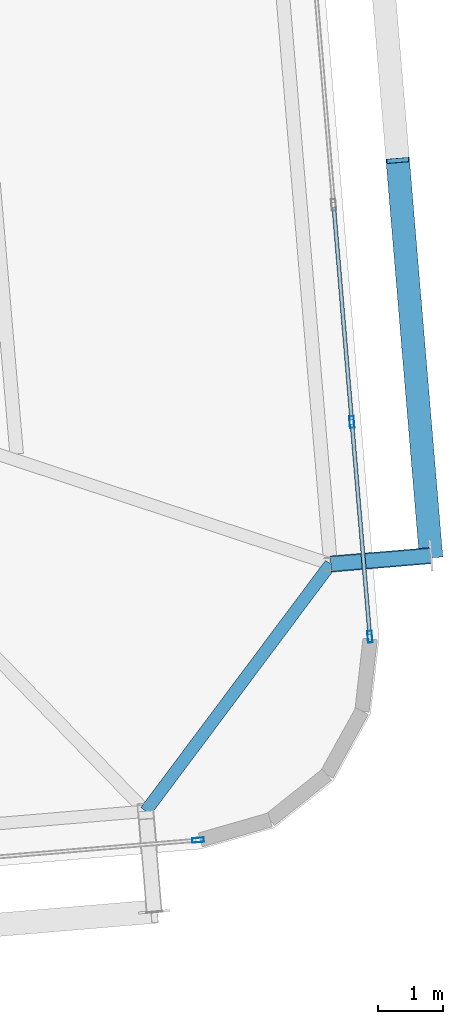
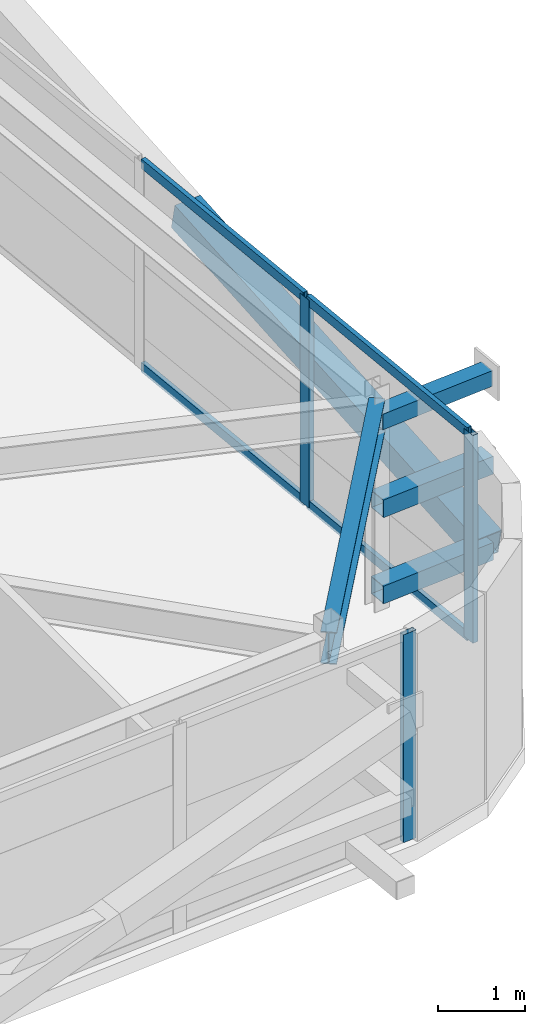
# One storey, part 22 of 44: 11 members, 1 beam, 2 elements without a shape of their own.
"""IFC4 building model written with IfcOpenShell, lengths in metres."""

from ifc_helpers import new_model, si_unit, direction, frame, origin, origin_2d, place, context, subcontext, project, spatial, hollow_rectangle, i_section, extrude, source, transform, mapped, material, layer, layer_set, material_profile, profile_set, type_object, element, aggregate, save


model = new_model("IFC4")

# Units and contexts
model_context = context("Model", 3, precision=1e-05, world=origin(), true_north=direction((0.0, 1.0)))
body_context = subcontext(model_context, "Body", "Model", "MODEL_VIEW")
ifc_project = project(units=[si_unit("LENGTHUNIT", "METRE"), si_unit("AREAUNIT", "SQUARE_METRE"), si_unit("VOLUMEUNIT", "CUBIC_METRE"), si_unit("PLANEANGLEUNIT", "RADIAN"), si_unit("MASSUNIT", "GRAM", prefix="KILO")], contexts=[model_context])

# Site, building, storey
site_placement = place(None, origin())
site = spatial("IfcSite", under=ifc_project, at=site_placement, CompositionType="ELEMENT")
building_placement = place(site_placement, origin())
building = spatial("IfcBuilding", under=site, at=building_placement, Name="Taldren Reach Tower", CompositionType="ELEMENT")
storey_placement = place(building_placement, frame((0.0, 0.0, 191.449951171875)))
storey = spatial("IfcBuildingStorey", under=building, at=storey_placement, Name="L58", CompositionType="ELEMENT", Elevation=191.449951171875)

# Beam
ifc_material_1 = material(Name="Steel Gr 350 (350PLUS)", Category="steel")
ifc_material_profile_1 = material_profile(ifc_material_1, i_section(OverallWidth=0.18994140625, OverallDepth=0.4541015625, WebThickness=0.008544921875, FlangeThickness=0.0126953125, at=origin_2d()), Name="460UB67.1")
ifc_profile_set_1 = profile_set([ifc_material_profile_1], Name="Steel Gr 350 (350PLUS)")
beam_type = type_object("IfcBeamType", Name="SP-UB460B", PredefinedType="SPANDREL", material=ifc_profile_set_1)
shared_shape_1 = source(origin(), body_context, "Body", "SweptSolid", [
    extrude(i_section(OverallWidth=0.18994140625, OverallDepth=0.4541015625, WebThickness=0.008544921875, FlangeThickness=0.0126953125, at=origin_2d()), origin(), (0.0, 0.0, 1.0), 4.746337890625),
])
beam_placement = place(storey_placement, frame((58.796142578125, 5.516357421875, 2.703125), z_axis=(0.598797715541, 0.800900303323, 0.0), x_axis=(-0.800900303323, 0.598797715541, 0.0)))
element("IfcBeam", 1, at=beam_placement, inside=storey, type_object=beam_type, Name="Perimeter spandrel B4 S6-E1 L58", PredefinedType="SPANDREL", context=body_context, shape_type="MappedRepresentation", body=[
    mapped(shared_shape_1, transform((0.0, 0.0, 0.0), scale=1.0)),
])

# Members
ifc_material_2 = material(Name="Steel Gr 450 (C450L0)", Category="steel")
ifc_material_profile_2 = material_profile(ifc_material_2, hollow_rectangle(XDim=0.219970703125, YDim=0.219970703125, WallThickness=0.00830078125, at=origin_2d()), Name="220x220x8.2SHS")
ifc_profile_set_2 = profile_set([ifc_material_profile_2], Name="Steel Gr 450 (C450L0)")
member_type_1 = type_object("IfcMemberType", Name="MB-TIE219", PredefinedType="STRUT", material=ifc_profile_set_2)
shared_shape_2 = source(origin(), body_context, "Body", "SweptSolid", [
    extrude(hollow_rectangle(XDim=0.219970703125, YDim=0.219970703125, WallThickness=0.00830078125, at=origin_2d()), origin(), (0.0, 0.0, 1.0), 1.545166015625),
])
member_1_placement = place(storey_placement, frame((61.642822265625, 9.31787109375, 2.650146484375), z_axis=(0.996487766615, 0.083738467783, 0.0), x_axis=(-0.083738467783, 0.996487766615, 0.0)))
element("IfcMember", 2, at=member_1_placement, inside=storey, type_object=member_type_1, Name="Exoskeleton diaphragm tie strut B4-E1 L58", PredefinedType="STRUT", context=body_context, shape_type="MappedRepresentation", body=[
    mapped(shared_shape_2, transform((0.0, 0.0, 0.0), scale=1.0)),
])
ifc_material_3 = material(Name="Steel Gr 350 (C350L0)", Category="steel")
ifc_material_profile_3 = material_profile(ifc_material_3, hollow_rectangle(XDim=0.25, YDim=0.25, WallThickness=0.010009765625, at=origin_2d()), Name="250x250x10.0SHS")
ifc_profile_set_3 = profile_set([ifc_material_profile_3], Name="Steel Gr 350 (C350L0)")
member_type_2 = type_object("IfcMemberType", Name="MB-POST250", PredefinedType="POST", material=ifc_profile_set_3)
shared_shape_3 = source(origin(), body_context, "Body", "SweptSolid", [
    extrude(hollow_rectangle(XDim=0.25, YDim=0.25, WallThickness=0.010009765625, at=origin_2d()), origin(), (0.0, 0.0, 1.0), 1.545166015625),
])
for number, where, z_axis, x_axis, name in (
    (3, (61.642822265625, 9.31787109375, 0.219970703125), (0.996487766615, 0.083738467783, 0.0), (-0.083738467783, 0.996487766615, 0.0), "Exoskeleton base diaphragm tie strut B4-E1 L58"),
    (4, (61.642822265625, 9.31787109375, 1.43505859375), (0.996487766615, 0.083738467783, 0.0), (-0.083738467783, 0.996487766615, 0.0), "Exoskeleton mid-tier diaphragm tie B4-E1 L58"),
):
    element("IfcMember", number, at=place(storey_placement, frame(where, z_axis=z_axis, x_axis=x_axis)), inside=storey, type_object=member_type_2, Name=name, PredefinedType="POST", context=body_context, shape_type="MappedRepresentation", body=[
        mapped(shared_shape_3, transform((0.0, 0.0, 0.0), scale=1.0)),
    ])
ifc_material_profile_4 = material_profile(ifc_material_2, hollow_rectangle(XDim=0.360107421875, YDim=0.360107421875, WallThickness=0.0126953125, at=origin_2d()), Name="360x360x12.7SHS")
ifc_profile_set_4 = profile_set([ifc_material_profile_4], Name="Steel Gr 450 (C450L0)")
member_type_3 = type_object("IfcMemberType", Name="MB-EXO356", PredefinedType="BRACE", material=ifc_profile_set_4)
shared_shape_4 = source(origin(), body_context, "Body", "SweptSolid", [
    extrude(hollow_rectangle(XDim=0.360107421875, YDim=0.360107421875, WallThickness=0.0126953125, at=origin_2d()), origin(), (0.0, 0.0, 1.0), 6.219970703125),
])
member_2_placement = place(storey_placement, frame((63.1826171875, 9.447265625, 0.219970703125), z_axis=(-0.082075564879, 0.977291924611, 0.195356330179), x_axis=(-0.996492003099, -0.083688038336, 0.0)))
element("IfcMember", 5, at=member_2_placement, inside=storey, type_object=member_type_3, Name="Exoskeleton Diagrid Brace B4-E1 L58", PredefinedType="BRACE", context=body_context, shape_type="MappedRepresentation", body=[
    mapped(shared_shape_4, transform((0.0, 0.0, 0.0), scale=1.0)),
])

# Curtain wall, member
ifc_material_4 = material(Name="Aluminium and Low-E Glass Unitised System", Category="aluminium")
ifc_layer = layer(ifc_material_4, 0.159912109375)
ifc_layer_set = layer_set([ifc_layer], Name="Aluminium and Low-E Glass Unitised System")
curtain_wall_type = type_object("IfcCurtainWallType", Name="CW-SYS-5", PredefinedType="NOTDEFINED", material=ifc_layer_set)
curtain_wall_1_placement = place(storey_placement, origin())
curtain_wall_1 = element("IfcCurtainWall", 6, at=curtain_wall_1_placement, inside=storey, type_object=curtain_wall_type, Name="Unitised curtain wall CW-L58-S", PredefinedType="NOTDEFINED")
ifc_material_5 = material(Name="Anodised Aluminium 6063-T6", Category="aluminium")
ifc_material_profile_5 = material_profile(ifc_material_5, hollow_rectangle(XDim=0.070068359375, YDim=0.179931640625, WallThickness=0.00390625, at=origin_2d()), Name="ALU-180x70x4RHS")
ifc_profile_set_5 = profile_set([ifc_material_profile_5], Name="Anodised Aluminium 6063-T6")
member_type_4 = type_object("IfcMemberType", Name="CW-MUL-180", PredefinedType="MULLION", material=ifc_profile_set_5)
shared_shape_5 = source(origin(), body_context, "Body", "SweptSolid", [
    extrude(hollow_rectangle(XDim=0.070068359375, YDim=0.179931640625, WallThickness=0.00390625, at=origin_2d()), origin(), (0.0, 0.0, 1.0), 2.929931640625),
])
member_3_placement = place(storey_placement, frame((59.60107421875, 5.072265625, 0.0), z_axis=(0.0, 0.0, 1.0), x_axis=(-0.083677894865, 0.996492854922, 0.0)))
member_3 = element("IfcMember", 7, at=member_3_placement, type_object=member_type_4, Name="CW-5 mullion 14", PredefinedType="MULLION", context=body_context, shape_type="MappedRepresentation", body=[
    mapped(shared_shape_5, transform((0.0, 0.0, 0.0), scale=1.0)),
])
aggregate(curtain_wall_1, [member_3])

# Curtain wall, members
curtain_wall_2_placement = place(storey_placement, origin())
curtain_wall_2 = element("IfcCurtainWall", 8, at=curtain_wall_2_placement, inside=storey, type_object=curtain_wall_type, Name="Unitised curtain wall CW-L58-E", PredefinedType="NOTDEFINED")
member_4_placement = place(storey_placement, frame((62.243896484375, 8.199462890625, 0.0), z_axis=(0.0, 0.0, 1.0), x_axis=(-0.996492847789, -0.083677979808, 0.0)))
member_4 = element("IfcMember", 9, at=member_4_placement, type_object=member_type_4, Name="CW-5 mullion 1", PredefinedType="MULLION", context=body_context, shape_type="MappedRepresentation", body=[
    mapped(shared_shape_5, transform((0.0, 0.0, 0.0), scale=1.0)),
])
member_5_placement = place(storey_placement, frame((61.96630859375, 11.502685546875, 0.0), z_axis=(0.0, 0.0, 1.0), x_axis=(-0.996492847789, -0.083677979808, 0.0)))
member_5 = element("IfcMember", 10, at=member_5_placement, type_object=member_type_4, Name="CW-5 mullion 2", PredefinedType="MULLION", context=body_context, shape_type="MappedRepresentation", body=[
    mapped(shared_shape_5, transform((0.0, 0.0, 0.0), scale=1.0)),
])
ifc_material_profile_6 = material_profile(ifc_material_5, hollow_rectangle(XDim=0.06005859375, YDim=0.135009765625, WallThickness=0.00341796875, at=origin_2d()), Name="ALU-135x60x3.5RHS")
ifc_profile_set_6 = profile_set([ifc_material_profile_6], Name="Anodised Aluminium 6063-T6")
member_type_5 = type_object("IfcMemberType", Name="CW-TRN-150", PredefinedType="USERDEFINED", material=ifc_profile_set_6)
shared_shape_6 = source(origin(), body_context, "Body", "SweptSolid", [
    extrude(hollow_rectangle(XDim=0.06005859375, YDim=0.135009765625, WallThickness=0.00341796875, at=origin_2d()), origin(), (0.0, 0.0, 1.0), 3.2451171875),
])
member_6_placement = place(storey_placement, frame((62.240966796875, 8.234130859375, 0.030029296875), z_axis=(-0.083736584401, 0.996487924881, 0.0), x_axis=(-0.996487924881, -0.083736584401, 0.0)))
member_6 = element("IfcMember", 11, at=member_6_placement, type_object=member_type_5, Name="CW-5 transom 1.1", ObjectType="TRANSOM", PredefinedType="USERDEFINED", context=body_context, shape_type="MappedRepresentation", body=[
    mapped(shared_shape_6, transform((0.0, 0.0, 0.0), scale=1.0)),
])
member_7_placement = place(storey_placement, frame((62.240966796875, 8.234130859375, 2.900146484375), z_axis=(-0.083736584401, 0.996487924881, 0.0), x_axis=(-0.996487924881, -0.083736584401, 0.0)))
member_7 = element("IfcMember", 12, at=member_7_placement, type_object=member_type_5, Name="CW-5 transom 1.2", ObjectType="TRANSOM", PredefinedType="USERDEFINED", context=body_context, shape_type="MappedRepresentation", body=[
    mapped(shared_shape_6, transform((0.0, 0.0, 0.0), scale=1.0)),
])
shared_shape_7 = source(origin(), body_context, "Body", "SweptSolid", [
    extrude(hollow_rectangle(XDim=0.06005859375, YDim=0.135009765625, WallThickness=0.00341796875, at=origin_2d()), origin(), (0.0, 0.0, 1.0), 3.280029296875),
])
member_8_placement = place(storey_placement, frame((61.96337890625, 11.53759765625, 0.030029296875), z_axis=(-0.083661452101, 0.996494235524, 0.0), x_axis=(-0.996494235524, -0.083661452101, 0.0)))
member_8 = element("IfcMember", 13, at=member_8_placement, type_object=member_type_5, Name="CW-5 transom 2.1", ObjectType="TRANSOM", PredefinedType="USERDEFINED", context=body_context, shape_type="MappedRepresentation", body=[
    mapped(shared_shape_7, transform((0.0, 0.0, 0.0), scale=1.0)),
])
member_9_placement = place(storey_placement, frame((61.96337890625, 11.53759765625, 2.900146484375), z_axis=(-0.083661452101, 0.996494235524, 0.0), x_axis=(-0.996494235524, -0.083661452101, 0.0)))
member_9 = element("IfcMember", 14, at=member_9_placement, type_object=member_type_5, Name="CW-5 transom 2.2", ObjectType="TRANSOM", PredefinedType="USERDEFINED", context=body_context, shape_type="MappedRepresentation", body=[
    mapped(shared_shape_7, transform((0.0, 0.0, 0.0), scale=1.0)),
])
aggregate(curtain_wall_2, [member_4, member_5, member_6, member_7, member_8, member_9])

save(model, "model.ifc")
